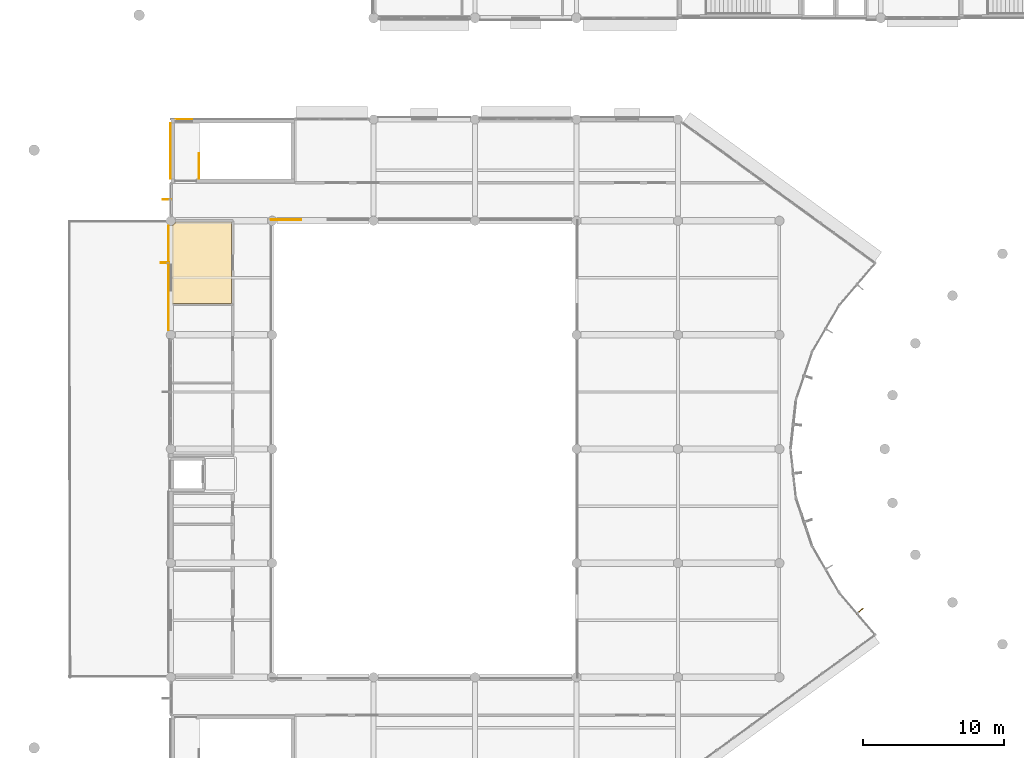
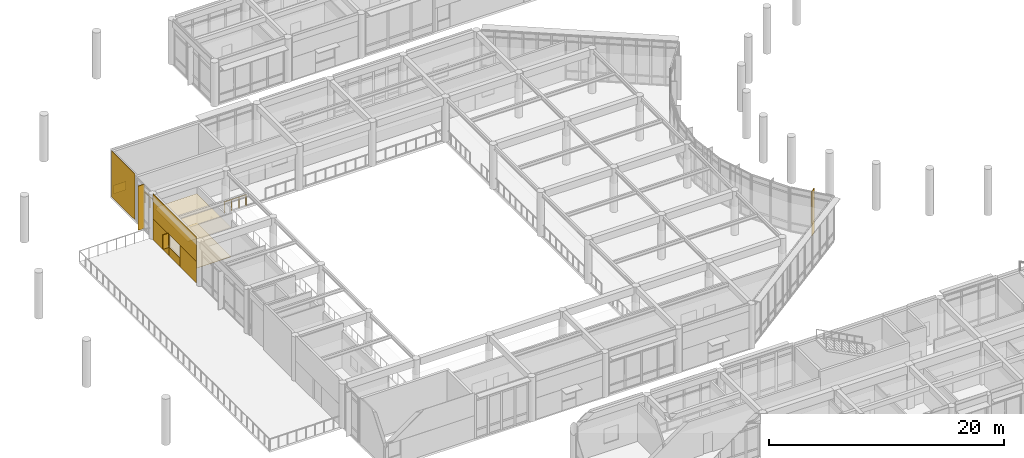
# One storey, part 77 of 92: 8 coverings, 3 shading devices, 2 railings.
"""IFC4 building model written with IfcOpenShell, lengths in metres."""

from ifc_helpers import new_model, si_unit, direction, frame, origin, origin_2d, place, context, subcontext, project, spatial, polyline, rectangle, circle, outline, extrude, material, layer, layer_set, type_object, element, save


model = new_model("IFC4")

# Units and contexts
model_context = context("Model", 3, precision=1e-05, world=origin(), true_north=direction((0.0, 1.0)))
body_context = subcontext(model_context, "Body", "Model", "MODEL_VIEW")
ifc_project = project(units=[si_unit("LENGTHUNIT", "METRE"), si_unit("AREAUNIT", "SQUARE_METRE"), si_unit("VOLUMEUNIT", "CUBIC_METRE"), si_unit("PLANEANGLEUNIT", "RADIAN"), si_unit("MASSUNIT", "GRAM", prefix="KILO")], contexts=[model_context])

# Site, building, storey
site_placement = place(None, origin())
site = spatial("IfcSite", under=ifc_project, at=site_placement, CompositionType="ELEMENT")
building_placement = place(site_placement, origin())
building = spatial("IfcBuilding", under=site, at=building_placement, Name="Namkhue Oval Health Centre", CompositionType="ELEMENT")
storey_placement = place(building_placement, frame((0.0, 0.0, 4.800048828125)))
storey = spatial("IfcBuildingStorey", under=building, at=storey_placement, Name="L01", CompositionType="ELEMENT", Elevation=4.800048828125)

# Coverings
ifc_material_1 = material(Name="Acoustic mineral-fibre cleanroom ceiling", Category="gypsum")
ifc_layer_1 = layer(ifc_material_1, 0.02001953125)
ifc_layer_set_1 = layer_set([ifc_layer_1], Name="Acoustic mineral-fibre cleanroom ceiling")
covering_type_1 = type_object("IfcCoveringType", Name="ACOUSTIC CLEANROOM CEILING 20", PredefinedType="CEILING", material=ifc_layer_set_1)
covering_1_placement = place(storey_placement, frame((0.0, 0.0, 3.050048828125)))
element("IfcCovering", 1, at=covering_1_placement, inside=storey, type_object=covering_type_1, Name="Acoustic Ceiling L01-106 Pharmacy Compounding Laboratory", PredefinedType="CEILING", context=body_context, shape_type="SweptSolid", body=[
    extrude(outline(polyline([(21.68505859375, 69.719970703125), (21.68505859375, 75.276123046875), (21.767578125, 75.309814453125), (21.8369140625, 75.363037109375), (21.89013671875, 75.4326171875), (21.923583984375, 75.51318359375), (21.92578125, 75.530029296875), (25.919921875, 75.530029296875), (25.919921875, 69.719970703125), (21.68505859375, 69.719970703125)])), origin(), (0.0, 0.0, 1.0), 0.02001953125),
])
ifc_material_2 = material(Name="Homogeneous anti-bacterial clinical vinyl flooring", Category="plastic")
ifc_layer_2 = layer(ifc_material_2, 0.014892578125)
ifc_layer_set_2 = layer_set([ifc_layer_2], Name="Homogeneous anti-bacterial clinical vinyl flooring")
covering_type_2 = type_object("IfcCoveringType", Name="CLINICAL ANTIBACTERIAL VINYL FLOORING 15", PredefinedType="FLOORING", material=ifc_layer_set_2)
covering_2_placement = place(storey_placement, origin())
element("IfcCovering", 2, at=covering_2_placement, inside=storey, type_object=covering_type_2, Name="Clinical Flooring L01-106 Pharmacy Compounding Laboratory", PredefinedType="FLOORING", context=body_context, shape_type="SweptSolid", body=[
    extrude(outline(polyline([(21.68505859375, 69.719970703125), (21.68505859375, 75.276123046875), (21.767578125, 75.309814453125), (21.8369140625, 75.363037109375), (21.89013671875, 75.4326171875), (21.923583984375, 75.51318359375), (21.92578125, 75.530029296875), (25.919921875, 75.530029296875), (25.919921875, 69.719970703125), (21.68505859375, 69.719970703125)])), origin(), (0.0, 0.0, 1.0), 0.014892578125),
])

# Railings
ifc_material_3 = material(Name="Brushed stainless steel 316L balustrade with laminated glass infill", Category="steel")
railing_type = type_object("IfcRailingType", Name="INTERIOR BALUSTRADE GUARD 1150", PredefinedType="BALUSTRADE", material=ifc_material_3)
railing_1_placement = place(storey_placement, frame((23.60009765625, 78.590087890625, 0.0)))
element("IfcRailing", 3, at=railing_1_placement, inside=storey, type_object=railing_type, Name="Stair ST-02 L01 Landing Well Edge Guard", PredefinedType="BALUSTRADE", context=body_context, shape_type="SweptSolid", body=[
    extrude(circle(Radius=0.02392578125, at=origin_2d()), frame((0.0, 0.0, 1.1259765625), z_axis=(0.0, 1.0, 0.0), x_axis=(-1.0, 0.0, 0.0)), (0.0, 0.0, 1.0), 1.77001953125),
    extrude(circle(Radius=0.02099609375, at=origin_2d()), origin(), (0.0, 0.0, 1.0), 1.101806640625),
    extrude(circle(Radius=0.02099609375, at=origin_2d()), frame((0.0, 0.885009765625, 0.0)), (0.0, 0.0, 1.0), 1.101806640625),
    extrude(circle(Radius=0.02099609375, at=origin_2d()), frame((0.0, 1.77001953125, 0.0)), (0.0, 0.0, 1.0), 1.101806640625),
])
railing_2_placement = place(storey_placement, frame((28.719970703125, 75.679931640625, 0.0)))
element("IfcRailing", 4, at=railing_2_placement, inside=storey, type_object=railing_type, Name="Waiting Hall L01 Mezzanine Atrium Guard 4", PredefinedType="BALUSTRADE", context=body_context, shape_type="SweptSolid", body=[
    extrude(circle(Radius=0.02392578125, at=origin_2d()), frame((0.0, 0.0, 1.1259765625), z_axis=(1.0, 0.0, 0.0), x_axis=(0.0, 1.0, 0.0)), (0.0, 0.0, 1.0), 2.130126953125),
    extrude(circle(Radius=0.02099609375, at=origin_2d()), origin(), (0.0, 0.0, 1.0), 1.101806640625),
    extrude(circle(Radius=0.02099609375, at=origin_2d()), frame((0.7099609375, 0.0, 0.0)), (0.0, 0.0, 1.0), 1.101806640625),
    extrude(circle(Radius=0.02099609375, at=origin_2d()), frame((1.420166015625, 0.0, 0.0)), (0.0, 0.0, 1.0), 1.101806640625),
    extrude(circle(Radius=0.02099609375, at=origin_2d()), frame((2.130126953125, 0.0, 0.0)), (0.0, 0.0, 1.0), 1.101806640625),
])

# Shading devices
ifc_material_4 = material(Name="Anodised aluminium EN AW-6063 T6", Category="aluminium")
shading_device_type = type_object("IfcShadingDeviceType", Name="VERTICAL SOLAR FIN 600", PredefinedType="USERDEFINED", material=ifc_material_4)
for number, where, z_axis, x_axis, name in (
    (5, (70.521484375, 47.89013671875, 0.0), (0.0, 0.0, 1.0), (0.760972426325, 0.648784221735, 0.0), "Volume V1 L01 Extruded Aluminium Solar Fin 28"),
    (6, (21.340087890625, 77.10888671875, 0.0), (0.0, 0.0, 1.0), (-1.0, 0.0, 0.0), "Volume V1 L01 Extruded Aluminium Solar Fin 41"),
):
    element("IfcShadingDevice", number, at=place(storey_placement, frame(where, z_axis=z_axis, x_axis=x_axis)), inside=storey, type_object=shading_device_type, Name=name, ObjectType="SOLAR FIN", PredefinedType="USERDEFINED", context=body_context, shape_type="SweptSolid", body=[
        extrude(rectangle(XDim=0.60009765625, YDim=0.06005859375, at=origin_2d()), origin(), (0.0, 0.0, 1.0), 4.60009765625),
    ])
shading_device_placement = place(storey_placement, frame((21.175048828125, 72.614990234375, 0.800048828125), z_axis=(0.0, 0.0, 1.0), x_axis=(-1.0, 0.0, 0.0)))
element("IfcShadingDevice", 7, at=shading_device_placement, inside=storey, type_object=shading_device_type, Name="Volume V1 L01 Window Solar Fin 42", ObjectType="SOLAR FIN", PredefinedType="USERDEFINED", context=body_context, shape_type="SweptSolid", body=[
    extrude(rectangle(XDim=0.60009765625, YDim=0.06005859375, at=origin_2d()), origin(), (0.0, 0.0, 1.0), 1.5),
])

# Coverings
ifc_material_5 = material(Name="White glass-fibre reinforced concrete GRC rainscreen cladding", Category="concrete")
ifc_layer_3 = layer(ifc_material_5, 0.02490234375)
ifc_layer_set_3 = layer_set([ifc_layer_3], Name="White glass-fibre reinforced concrete GRC rainscreen cladding")
covering_type_3 = type_object("IfcCoveringType", Name="WHITE GRC RAINSCREEN CLADDING 25", PredefinedType="CLADDING", material=ifc_layer_set_3)
covering_3_placement = place(storey_placement, frame((21.443115234375, 71.550048828125, 2.21484375), z_axis=(0.0, 0.0, 1.0), x_axis=(0.0, -1.0, 0.0)))
element("IfcCovering", 8, at=covering_3_placement, inside=storey, type_object=covering_type_3, Name="Volume V1 L01 Facade 12 White GRC Cladding 1", PredefinedType="CLADDING", context=body_context, shape_type="SweptSolid", body=[
    extrude(rectangle(XDim=7.419921875, YDim=0.02490234375, at=origin_2d()), origin(), (0.0, 0.0, 1.0), 2.574951171875),
])
covering_4_placement = place(storey_placement, frame((21.443115234375, 73.875, 0.009765625), z_axis=(0.0, 0.0, 1.0), x_axis=(0.0, -1.0, 0.0)))
element("IfcCovering", 9, at=covering_4_placement, inside=storey, type_object=covering_type_3, Name="Volume V1 L01 Facade 12 White GRC Cladding 2", PredefinedType="CLADDING", context=body_context, shape_type="SweptSolid", body=[
    extrude(rectangle(XDim=2.77001953125, YDim=0.02490234375, at=origin_2d()), origin(), (0.0, 0.0, 1.0), 2.199951171875),
])
covering_5_placement = place(storey_placement, frame((21.443115234375, 71.550048828125, 0.010009765625), z_axis=(0.0, 0.0, 1.0), x_axis=(0.0, -1.0, 0.0)))
element("IfcCovering", 10, at=covering_5_placement, inside=storey, type_object=covering_type_3, Name="Volume V1 L01 Facade 12 White GRC Cladding 3", PredefinedType="CLADDING", context=body_context, shape_type="SweptSolid", body=[
    extrude(rectangle(XDim=1.8701171875, YDim=0.02490234375, at=origin_2d()), origin(), (0.0, 0.0, 1.0), 0.875),
])
covering_6_placement = place(storey_placement, frame((21.443115234375, 69.22509765625, 0.009765625), z_axis=(0.0, 0.0, 1.0), x_axis=(0.0, -1.0, 0.0)))
element("IfcCovering", 11, at=covering_6_placement, inside=storey, type_object=covering_type_3, Name="Volume V1 L01 Facade 12 White GRC Cladding 4", PredefinedType="CLADDING", context=body_context, shape_type="SweptSolid", body=[
    extrude(rectangle(XDim=2.77001953125, YDim=0.02490234375, at=origin_2d()), origin(), (0.0, 0.0, 1.0), 2.199951171875),
])
covering_7_placement = place(storey_placement, frame((22.5400390625, 82.81201171875, 0.010009765625), z_axis=(0.0, 0.0, 1.0), x_axis=(-1.0, 0.0, 0.0)))
element("IfcCovering", 12, at=covering_7_placement, inside=storey, type_object=covering_type_3, Name="Core SC-02 L01 Core N White GRC Cladding 3", PredefinedType="CLADDING", context=body_context, shape_type="SweptSolid", body=[
    extrude(rectangle(XDim=1.199951171875, YDim=0.02490234375, at=origin_2d()), origin(), (0.0, 0.0, 1.0), 0.89501953125),
])
covering_8_placement = place(storey_placement, frame((21.587890625, 80.550048828125, 0.009765625), z_axis=(0.0, 0.0, 1.0), x_axis=(0.0, -1.0, 0.0)))
element("IfcCovering", 13, at=covering_8_placement, inside=storey, type_object=covering_type_3, Name="Core SC-02 L01 Core W White GRC Cladding 1", PredefinedType="CLADDING", context=body_context, shape_type="SweptSolid", body=[
    extrude(rectangle(XDim=3.9599609375, YDim=0.02490234375, at=origin_2d()), origin(), (0.0, 0.0, 1.0), 4.780029296875),
])

save(model, "model.ifc")
